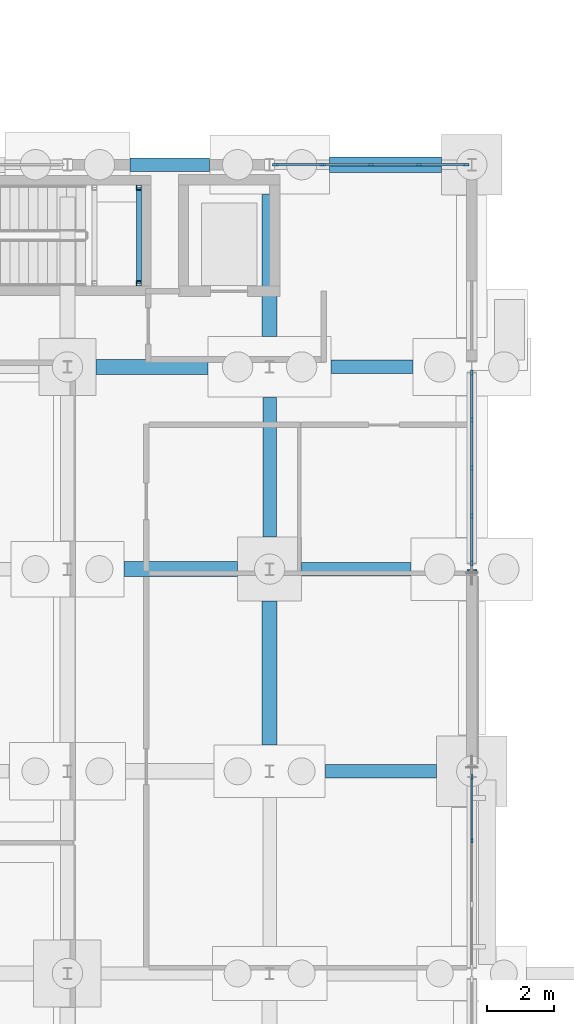
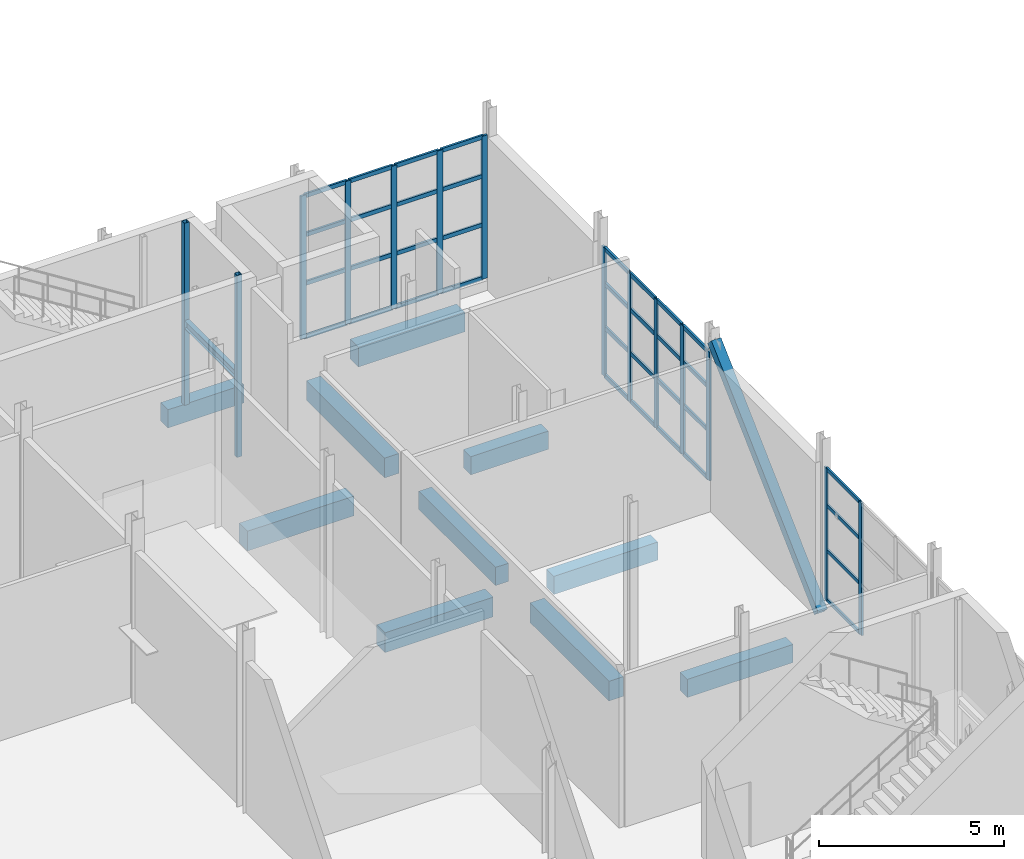
# One storey, part 49 of 120: 51 members, 11 beams, 3 elements without a shape of their own.
"""IFC4 building model written with IfcOpenShell, lengths in metres."""

from ifc_helpers import new_model, si_unit, direction, frame, origin, origin_2d, place, context, subcontext, project, spatial, rectangle, hollow_rectangle, i_section, extrude, material, material_profile, profile_set, type_object, element, aggregate, save


model = new_model("IFC4")

# Units and contexts
model_context = context("Model", 3, precision=1e-05, world=origin(), true_north=direction((0.0, 1.0)))
body_context = subcontext(model_context, "Body", "Model", "MODEL_VIEW")
ifc_project = project(units=[si_unit("LENGTHUNIT", "METRE"), si_unit("AREAUNIT", "SQUARE_METRE"), si_unit("VOLUMEUNIT", "CUBIC_METRE"), si_unit("PLANEANGLEUNIT", "RADIAN"), si_unit("MASSUNIT", "GRAM", prefix="KILO")], contexts=[model_context])

# Site, building, storey
site_placement = place(None, origin())
site = spatial("IfcSite", under=ifc_project, at=site_placement, CompositionType="ELEMENT")
building_placement = place(site_placement, origin())
building = spatial("IfcBuilding", under=site, at=building_placement, Name="Siltcreek Boulevard Central Fire Station", CompositionType="ELEMENT")
storey_placement = place(building_placement, origin())
storey = spatial("IfcBuildingStorey", under=building, at=storey_placement, Name="L01", CompositionType="ELEMENT", Elevation=0.0)

# Members
ifc_material_1 = material(Name="Structural steel ASTM A500 GrC", Category="steel")
ifc_material_profile_1 = material_profile(ifc_material_1, hollow_rectangle(XDim=0.14990234375, YDim=0.14990234375, WallThickness=0.008056640625, at=origin_2d()), Name="HSS150X150X8.0")
ifc_profile_set_1 = profile_set([ifc_material_profile_1], Name="Structural steel ASTM A500 GrC")
member_type_1 = type_object("IfcMemberType", Name="BR_HSS150_8", PredefinedType="BRACE", material=ifc_profile_set_1)
for number, where, z_axis, x_axis, name in (
    (1, (98.1201171875, 50.47998046875, 0.0), (0.0, 0.0, 1.0), (1.0, 0.0, 0.0), "L01 ST-V2A stair landing corner post SE"),
    (2, (98.1201171875, 53.320068359375, 0.0), (0.0, 0.0, 1.0), (1.0, 0.0, 0.0), "L01 ST-V2A stair landing corner post NE"),
):
    element("IfcMember", number, at=place(storey_placement, frame(where, z_axis=z_axis, x_axis=x_axis)), inside=storey, type_object=member_type_1, Name=name, PredefinedType="BRACE", context=body_context, shape_type="SweptSolid", body=[
        extrude(hollow_rectangle(XDim=0.14990234375, YDim=0.14990234375, WallThickness=0.008056640625, at=origin_2d()), origin(), (0.0, 0.0, 1.0), 6.0),
    ])
ifc_material_profile_2 = material_profile(ifc_material_1, hollow_rectangle(XDim=0.300048828125, YDim=0.300048828125, WallThickness=0.012451171875, at=origin_2d()), Name="HSS300X300X12.5")
ifc_profile_set_2 = profile_set([ifc_material_profile_2], Name="Structural steel ASTM A500 GrC")
member_type_2 = type_object("IfcMemberType", Name="BR_HSS300", PredefinedType="BRACE", material=ifc_profile_set_2)
member_1_placement = place(storey_placement, frame((108.0, 36.1201171875, 0.10009765625), z_axis=(0.0, 0.726372446686, 0.687301293972), x_axis=(-1.0, 0.0, 0.0)))
element("IfcMember", 3, at=member_1_placement, inside=storey, type_object=member_type_2, Name="L01 buckling-restrained brace BR-008", PredefinedType="BRACE", context=body_context, shape_type="SweptSolid", body=[
    extrude(hollow_rectangle(XDim=0.300048828125, YDim=0.300048828125, WallThickness=0.012451171875, at=origin_2d()), origin(), (0.0, 0.0, 1.0), 7.929443359375),
])

# Curtain wall, members
ifc_material_2 = material(Name="Anodized aluminum and low-E insulated glazing", Category="aluminium")
curtain_wall_type_1 = type_object("IfcCurtainWallType", Name="CW_SYS_22", PredefinedType="USERDEFINED", material=ifc_material_2)
curtain_wall_1_placement = place(storey_placement, origin())
curtain_wall_1 = element("IfcCurtainWall", 4, at=curtain_wall_1_placement, inside=storey, type_object=curtain_wall_type_1, Name="L01 V2 unitised curtain wall CW-021", ObjectType="CURTAIN WALL", PredefinedType="USERDEFINED")
ifc_material_3 = material(Name="Anodized 6063-T6 aluminum framing", Category="aluminium")
ifc_material_profile_3 = material_profile(ifc_material_3, rectangle(XDim=0.06005859375, YDim=0.14990234375, at=origin_2d()), Name="MULL60X150")
ifc_profile_set_3 = profile_set([ifc_material_profile_3], Name="Anodized 6063-T6 aluminum framing")
member_type_3 = type_object("IfcMemberType", Name="CWM_60X150", PredefinedType="MULLION", material=ifc_profile_set_3)
member_2_placement = place(storey_placement, frame((108.0, 33.95166015625, 0.679931640625), z_axis=(0.0, 0.0, 1.0), x_axis=(-1.0, 0.0, 0.0)))
member_2 = element("IfcMember", 5, at=member_2_placement, type_object=member_type_3, Name="CW-021 mullion 3", PredefinedType="MULLION", context=body_context, shape_type="SweptSolid", body=[
    extrude(rectangle(XDim=0.06005859375, YDim=0.14990234375, at=origin_2d()), origin(), (0.0, 0.0, 1.0), 4.364013671875),
])
member_3_placement = place(storey_placement, frame((108.0, 35.824951171875, 0.679931640625), z_axis=(0.0, 0.0, 1.0), x_axis=(-1.0, 0.0, 0.0)))
member_3 = element("IfcMember", 6, at=member_3_placement, type_object=member_type_3, Name="CW-021 mullion 4", PredefinedType="MULLION", context=body_context, shape_type="SweptSolid", body=[
    extrude(rectangle(XDim=0.06005859375, YDim=0.14990234375, at=origin_2d()), origin(), (0.0, 0.0, 1.0), 4.364013671875),
])

curtain_wall_type_2 = type_object("IfcCurtainWallType", Name="CW_SYS_19", PredefinedType="USERDEFINED", material=ifc_material_2)
curtain_wall_2_placement = place(storey_placement, origin())
curtain_wall_2 = element("IfcCurtainWall", 7, at=curtain_wall_2_placement, inside=storey, type_object=curtain_wall_type_2, Name="L01 V2 unitised curtain wall CW-018", ObjectType="CURTAIN WALL", PredefinedType="USERDEFINED")
ifc_material_profile_4 = material_profile(ifc_material_3, rectangle(XDim=0.06494140625, YDim=0.175048828125, at=origin_2d()), Name="MULL65X175")
ifc_profile_set_4 = profile_set([ifc_material_profile_4], Name="Anodized 6063-T6 aluminum framing")
member_type_4 = type_object("IfcMemberType", Name="CWM_65X175", PredefinedType="MULLION", material=ifc_profile_set_4)
member_4_placement = place(storey_placement, frame((107.822509765625, 54.0, 0.320068359375), z_axis=(0.0, 0.0, 1.0), x_axis=(0.0, -1.0, 0.0)))
member_4 = element("IfcMember", 8, at=member_4_placement, type_object=member_type_4, Name="CW-018 mullion 1", PredefinedType="MULLION", context=body_context, shape_type="SweptSolid", body=[
    extrude(rectangle(XDim=0.06494140625, YDim=0.175048828125, at=origin_2d()), origin(), (0.0, 0.0, 1.0), 4.71484375),
])
member_5_placement = place(storey_placement, frame((106.427490234375, 54.0, 0.320068359375), z_axis=(0.0, 0.0, 1.0), x_axis=(0.0, -1.0, 0.0)))
member_5 = element("IfcMember", 9, at=member_5_placement, type_object=member_type_4, Name="CW-018 mullion 2", PredefinedType="MULLION", context=body_context, shape_type="SweptSolid", body=[
    extrude(rectangle(XDim=0.06494140625, YDim=0.175048828125, at=origin_2d()), origin(), (0.0, 0.0, 1.0), 4.71484375),
])
member_6_placement = place(storey_placement, frame((105.0, 54.0, 0.320068359375), z_axis=(0.0, 0.0, 1.0), x_axis=(0.0, -1.0, 0.0)))
member_6 = element("IfcMember", 10, at=member_6_placement, type_object=member_type_4, Name="CW-018 mullion 3", PredefinedType="MULLION", context=body_context, shape_type="SweptSolid", body=[
    extrude(rectangle(XDim=0.06494140625, YDim=0.175048828125, at=origin_2d()), origin(), (0.0, 0.0, 1.0), 4.71484375),
])
member_7_placement = place(storey_placement, frame((103.572509765625, 54.0, 0.320068359375), z_axis=(0.0, 0.0, 1.0), x_axis=(0.0, -1.0, 0.0)))
member_7 = element("IfcMember", 11, at=member_7_placement, type_object=member_type_4, Name="CW-018 mullion 4", PredefinedType="MULLION", context=body_context, shape_type="SweptSolid", body=[
    extrude(rectangle(XDim=0.06494140625, YDim=0.175048828125, at=origin_2d()), origin(), (0.0, 0.0, 1.0), 4.71484375),
])
member_8_placement = place(storey_placement, frame((102.177490234375, 54.0, 0.320068359375), z_axis=(0.0, 0.0, 1.0), x_axis=(0.0, -1.0, 0.0)))
member_8 = element("IfcMember", 12, at=member_8_placement, type_object=member_type_4, Name="CW-018 mullion 5", PredefinedType="MULLION", context=body_context, shape_type="SweptSolid", body=[
    extrude(rectangle(XDim=0.06494140625, YDim=0.175048828125, at=origin_2d()), origin(), (0.0, 0.0, 1.0), 4.71484375),
])

curtain_wall_type_3 = type_object("IfcCurtainWallType", Name="CW_SYS_23", PredefinedType="USERDEFINED", material=ifc_material_2)
curtain_wall_3_placement = place(storey_placement, origin())
curtain_wall_3 = element("IfcCurtainWall", 13, at=curtain_wall_3_placement, inside=storey, type_object=curtain_wall_type_3, Name="L01 V2 unitised curtain wall CW-022", ObjectType="CURTAIN WALL", PredefinedType="USERDEFINED")
member_9_placement = place(storey_placement, frame((108.0, 42.177490234375, 0.800048828125), z_axis=(0.0, 0.0, 1.0), x_axis=(-1.0, 0.0, 0.0)))
member_9 = element("IfcMember", 14, at=member_9_placement, type_object=member_type_4, Name="CW-022 mullion 1", PredefinedType="MULLION", context=body_context, shape_type="SweptSolid", body=[
    extrude(rectangle(XDim=0.06494140625, YDim=0.175048828125, at=origin_2d()), origin(), (0.0, 0.0, 1.0), 4.243896484375),
])
member_10_placement = place(storey_placement, frame((108.0, 43.572509765625, 0.800048828125), z_axis=(0.0, 0.0, 1.0), x_axis=(-1.0, 0.0, 0.0)))
member_10 = element("IfcMember", 15, at=member_10_placement, type_object=member_type_4, Name="CW-022 mullion 2", PredefinedType="MULLION", context=body_context, shape_type="SweptSolid", body=[
    extrude(rectangle(XDim=0.06494140625, YDim=0.175048828125, at=origin_2d()), origin(), (0.0, 0.0, 1.0), 4.243896484375),
])
member_11_placement = place(storey_placement, frame((108.0, 45.0, 0.800048828125), z_axis=(0.0, 0.0, 1.0), x_axis=(-1.0, 0.0, 0.0)))
member_11 = element("IfcMember", 16, at=member_11_placement, type_object=member_type_4, Name="CW-022 mullion 3", PredefinedType="MULLION", context=body_context, shape_type="SweptSolid", body=[
    extrude(rectangle(XDim=0.06494140625, YDim=0.175048828125, at=origin_2d()), origin(), (0.0, 0.0, 1.0), 4.243896484375),
])
member_12_placement = place(storey_placement, frame((108.0, 46.427490234375, 0.800048828125), z_axis=(0.0, 0.0, 1.0), x_axis=(-1.0, 0.0, 0.0)))
member_12 = element("IfcMember", 17, at=member_12_placement, type_object=member_type_4, Name="CW-022 mullion 4", PredefinedType="MULLION", context=body_context, shape_type="SweptSolid", body=[
    extrude(rectangle(XDim=0.06494140625, YDim=0.175048828125, at=origin_2d()), origin(), (0.0, 0.0, 1.0), 4.243896484375),
])
member_13_placement = place(storey_placement, frame((108.0, 47.822509765625, 0.800048828125), z_axis=(0.0, 0.0, 1.0), x_axis=(-1.0, 0.0, 0.0)))
member_13 = element("IfcMember", 18, at=member_13_placement, type_object=member_type_4, Name="CW-022 mullion 5", PredefinedType="MULLION", context=body_context, shape_type="SweptSolid", body=[
    extrude(rectangle(XDim=0.06494140625, YDim=0.175048828125, at=origin_2d()), origin(), (0.0, 0.0, 1.0), 4.243896484375),
])

# Member
ifc_material_profile_5 = material_profile(ifc_material_3, rectangle(XDim=0.06005859375, YDim=0.114990234375, at=origin_2d()), Name="TRAN60X115")
ifc_profile_set_5 = profile_set([ifc_material_profile_5], Name="Anodized 6063-T6 aluminum framing")
member_type_5 = type_object("IfcMemberType", Name="CWT_60X115", PredefinedType="USERDEFINED", material=ifc_profile_set_5)
member_14_placement = place(storey_placement, frame((108.0, 33.981689453125, 0.7099609375), z_axis=(0.0, 1.0, 0.0), x_axis=(-1.0, 0.0, 0.0)))
member_14 = element("IfcMember", 19, at=member_14_placement, type_object=member_type_5, Name="CW-021 transom 3.1", ObjectType="TRANSOM", PredefinedType="USERDEFINED", context=body_context, shape_type="SweptSolid", body=[
    extrude(rectangle(XDim=0.06005859375, YDim=0.114990234375, at=origin_2d()), origin(), (0.0, 0.0, 1.0), 1.813232421875),
])

member_15_placement = place(storey_placement, frame((108.0, 33.981689453125, 2.33837890625), z_axis=(0.0, 1.0, 0.0), x_axis=(-1.0, 0.0, 0.0)))
member_15 = element("IfcMember", 20, at=member_15_placement, type_object=member_type_5, Name="CW-021 transom 3.2", ObjectType="TRANSOM", PredefinedType="USERDEFINED", context=body_context, shape_type="SweptSolid", body=[
    extrude(rectangle(XDim=0.06005859375, YDim=0.114990234375, at=origin_2d()), origin(), (0.0, 0.0, 1.0), 1.813232421875),
])

member_16_placement = place(storey_placement, frame((108.0, 33.981689453125, 3.822021484375), z_axis=(0.0, 1.0, 0.0), x_axis=(-1.0, 0.0, 0.0)))
member_16 = element("IfcMember", 21, at=member_16_placement, type_object=member_type_5, Name="CW-021 transom 3.3", ObjectType="TRANSOM", PredefinedType="USERDEFINED", context=body_context, shape_type="SweptSolid", body=[
    extrude(rectangle(XDim=0.06005859375, YDim=0.114990234375, at=origin_2d()), origin(), (0.0, 0.0, 1.0), 1.813232421875),
])

member_17_placement = place(storey_placement, frame((108.0, 33.981689453125, 5.013916015625), z_axis=(0.0, 1.0, 0.0), x_axis=(-1.0, 0.0, 0.0)))
member_17 = element("IfcMember", 22, at=member_17_placement, type_object=member_type_5, Name="CW-021 transom 3.4", ObjectType="TRANSOM", PredefinedType="USERDEFINED", context=body_context, shape_type="SweptSolid", body=[
    extrude(rectangle(XDim=0.06005859375, YDim=0.114990234375, at=origin_2d()), origin(), (0.0, 0.0, 1.0), 1.813232421875),
])

aggregate(curtain_wall_1, [member_2, member_3, member_14, member_15, member_16, member_17])

ifc_material_profile_6 = material_profile(ifc_material_3, rectangle(XDim=0.06494140625, YDim=0.135009765625, at=origin_2d()), Name="TRAN65X135")
ifc_profile_set_6 = profile_set([ifc_material_profile_6], Name="Anodized 6063-T6 aluminum framing")
member_type_6 = type_object("IfcMemberType", Name="CWT_65X135", PredefinedType="USERDEFINED", material=ifc_profile_set_6)
member_18_placement = place(storey_placement, frame((107.7900390625, 54.0, 0.3525390625), z_axis=(-1.0, 0.0, 0.0), x_axis=(0.0, -1.0, 0.0)))
member_18 = element("IfcMember", 23, at=member_18_placement, type_object=member_type_6, Name="CW-018 transom 1.1", ObjectType="TRANSOM", PredefinedType="USERDEFINED", context=body_context, shape_type="SweptSolid", body=[
    extrude(rectangle(XDim=0.06494140625, YDim=0.135009765625, at=origin_2d()), origin(), (0.0, 0.0, 1.0), 1.330078125),
])

member_19_placement = place(storey_placement, frame((107.7900390625, 54.0, 2.11181640625), z_axis=(-1.0, 0.0, 0.0), x_axis=(0.0, -1.0, 0.0)))
member_19 = element("IfcMember", 24, at=member_19_placement, type_object=member_type_6, Name="CW-018 transom 1.2", ObjectType="TRANSOM", PredefinedType="USERDEFINED", context=body_context, shape_type="SweptSolid", body=[
    extrude(rectangle(XDim=0.06494140625, YDim=0.135009765625, at=origin_2d()), origin(), (0.0, 0.0, 1.0), 1.330078125),
])

member_20_placement = place(storey_placement, frame((107.7900390625, 54.0, 3.71484375), z_axis=(-1.0, 0.0, 0.0), x_axis=(0.0, -1.0, 0.0)))
member_20 = element("IfcMember", 25, at=member_20_placement, type_object=member_type_6, Name="CW-018 transom 1.3", ObjectType="TRANSOM", PredefinedType="USERDEFINED", context=body_context, shape_type="SweptSolid", body=[
    extrude(rectangle(XDim=0.06494140625, YDim=0.135009765625, at=origin_2d()), origin(), (0.0, 0.0, 1.0), 1.330078125),
])

member_21_placement = place(storey_placement, frame((107.7900390625, 54.0, 5.00244140625), z_axis=(-1.0, 0.0, 0.0), x_axis=(0.0, -1.0, 0.0)))
member_21 = element("IfcMember", 26, at=member_21_placement, type_object=member_type_6, Name="CW-018 transom 1.4", ObjectType="TRANSOM", PredefinedType="USERDEFINED", context=body_context, shape_type="SweptSolid", body=[
    extrude(rectangle(XDim=0.06494140625, YDim=0.135009765625, at=origin_2d()), origin(), (0.0, 0.0, 1.0), 1.330078125),
])

member_22_placement = place(storey_placement, frame((106.39501953125, 54.0, 0.3525390625), z_axis=(-1.0, 0.0, 0.0), x_axis=(0.0, -1.0, 0.0)))
member_22 = element("IfcMember", 27, at=member_22_placement, type_object=member_type_6, Name="CW-018 transom 2.1", ObjectType="TRANSOM", PredefinedType="USERDEFINED", context=body_context, shape_type="SweptSolid", body=[
    extrude(rectangle(XDim=0.06494140625, YDim=0.135009765625, at=origin_2d()), origin(), (0.0, 0.0, 1.0), 1.362548828125),
])

member_23_placement = place(storey_placement, frame((106.39501953125, 54.0, 2.11181640625), z_axis=(-1.0, 0.0, 0.0), x_axis=(0.0, -1.0, 0.0)))
member_23 = element("IfcMember", 28, at=member_23_placement, type_object=member_type_6, Name="CW-018 transom 2.2", ObjectType="TRANSOM", PredefinedType="USERDEFINED", context=body_context, shape_type="SweptSolid", body=[
    extrude(rectangle(XDim=0.06494140625, YDim=0.135009765625, at=origin_2d()), origin(), (0.0, 0.0, 1.0), 1.362548828125),
])

member_24_placement = place(storey_placement, frame((106.39501953125, 54.0, 3.71484375), z_axis=(-1.0, 0.0, 0.0), x_axis=(0.0, -1.0, 0.0)))
member_24 = element("IfcMember", 29, at=member_24_placement, type_object=member_type_6, Name="CW-018 transom 2.3", ObjectType="TRANSOM", PredefinedType="USERDEFINED", context=body_context, shape_type="SweptSolid", body=[
    extrude(rectangle(XDim=0.06494140625, YDim=0.135009765625, at=origin_2d()), origin(), (0.0, 0.0, 1.0), 1.362548828125),
])

member_25_placement = place(storey_placement, frame((106.39501953125, 54.0, 5.00244140625), z_axis=(-1.0, 0.0, 0.0), x_axis=(0.0, -1.0, 0.0)))
member_25 = element("IfcMember", 30, at=member_25_placement, type_object=member_type_6, Name="CW-018 transom 2.4", ObjectType="TRANSOM", PredefinedType="USERDEFINED", context=body_context, shape_type="SweptSolid", body=[
    extrude(rectangle(XDim=0.06494140625, YDim=0.135009765625, at=origin_2d()), origin(), (0.0, 0.0, 1.0), 1.362548828125),
])

member_26_placement = place(storey_placement, frame((104.967529296875, 54.0, 0.3525390625), z_axis=(-1.0, 0.0, 0.0), x_axis=(0.0, -1.0, 0.0)))
member_26 = element("IfcMember", 31, at=member_26_placement, type_object=member_type_6, Name="CW-018 transom 3.1", ObjectType="TRANSOM", PredefinedType="USERDEFINED", context=body_context, shape_type="SweptSolid", body=[
    extrude(rectangle(XDim=0.06494140625, YDim=0.135009765625, at=origin_2d()), origin(), (0.0, 0.0, 1.0), 1.362548828125),
])

member_27_placement = place(storey_placement, frame((104.967529296875, 54.0, 2.11181640625), z_axis=(-1.0, 0.0, 0.0), x_axis=(0.0, -1.0, 0.0)))
member_27 = element("IfcMember", 32, at=member_27_placement, type_object=member_type_6, Name="CW-018 transom 3.2", ObjectType="TRANSOM", PredefinedType="USERDEFINED", context=body_context, shape_type="SweptSolid", body=[
    extrude(rectangle(XDim=0.06494140625, YDim=0.135009765625, at=origin_2d()), origin(), (0.0, 0.0, 1.0), 1.362548828125),
])

member_28_placement = place(storey_placement, frame((104.967529296875, 54.0, 3.71484375), z_axis=(-1.0, 0.0, 0.0), x_axis=(0.0, -1.0, 0.0)))
member_28 = element("IfcMember", 33, at=member_28_placement, type_object=member_type_6, Name="CW-018 transom 3.3", ObjectType="TRANSOM", PredefinedType="USERDEFINED", context=body_context, shape_type="SweptSolid", body=[
    extrude(rectangle(XDim=0.06494140625, YDim=0.135009765625, at=origin_2d()), origin(), (0.0, 0.0, 1.0), 1.362548828125),
])

member_29_placement = place(storey_placement, frame((104.967529296875, 54.0, 5.00244140625), z_axis=(-1.0, 0.0, 0.0), x_axis=(0.0, -1.0, 0.0)))
member_29 = element("IfcMember", 34, at=member_29_placement, type_object=member_type_6, Name="CW-018 transom 3.4", ObjectType="TRANSOM", PredefinedType="USERDEFINED", context=body_context, shape_type="SweptSolid", body=[
    extrude(rectangle(XDim=0.06494140625, YDim=0.135009765625, at=origin_2d()), origin(), (0.0, 0.0, 1.0), 1.362548828125),
])

member_30_placement = place(storey_placement, frame((103.5400390625, 54.0, 0.3525390625), z_axis=(-1.0, 0.0, 0.0), x_axis=(0.0, -1.0, 0.0)))
member_30 = element("IfcMember", 35, at=member_30_placement, type_object=member_type_6, Name="CW-018 transom 4.1", ObjectType="TRANSOM", PredefinedType="USERDEFINED", context=body_context, shape_type="SweptSolid", body=[
    extrude(rectangle(XDim=0.06494140625, YDim=0.135009765625, at=origin_2d()), origin(), (0.0, 0.0, 1.0), 1.330078125),
])

member_31_placement = place(storey_placement, frame((103.5400390625, 54.0, 2.11181640625), z_axis=(-1.0, 0.0, 0.0), x_axis=(0.0, -1.0, 0.0)))
member_31 = element("IfcMember", 36, at=member_31_placement, type_object=member_type_6, Name="CW-018 transom 4.2", ObjectType="TRANSOM", PredefinedType="USERDEFINED", context=body_context, shape_type="SweptSolid", body=[
    extrude(rectangle(XDim=0.06494140625, YDim=0.135009765625, at=origin_2d()), origin(), (0.0, 0.0, 1.0), 1.330078125),
])

member_32_placement = place(storey_placement, frame((103.5400390625, 54.0, 3.71484375), z_axis=(-1.0, 0.0, 0.0), x_axis=(0.0, -1.0, 0.0)))
member_32 = element("IfcMember", 37, at=member_32_placement, type_object=member_type_6, Name="CW-018 transom 4.3", ObjectType="TRANSOM", PredefinedType="USERDEFINED", context=body_context, shape_type="SweptSolid", body=[
    extrude(rectangle(XDim=0.06494140625, YDim=0.135009765625, at=origin_2d()), origin(), (0.0, 0.0, 1.0), 1.330078125),
])

member_33_placement = place(storey_placement, frame((103.5400390625, 54.0, 5.00244140625), z_axis=(-1.0, 0.0, 0.0), x_axis=(0.0, -1.0, 0.0)))
member_33 = element("IfcMember", 38, at=member_33_placement, type_object=member_type_6, Name="CW-018 transom 4.4", ObjectType="TRANSOM", PredefinedType="USERDEFINED", context=body_context, shape_type="SweptSolid", body=[
    extrude(rectangle(XDim=0.06494140625, YDim=0.135009765625, at=origin_2d()), origin(), (0.0, 0.0, 1.0), 1.330078125),
])

aggregate(curtain_wall_2, [member_4, member_5, member_6, member_7, member_8, member_18, member_19, member_20, member_21, member_22, member_23, member_24, member_25, member_26, member_27, member_28, member_29, member_30, member_31, member_32, member_33])

member_34_placement = place(storey_placement, frame((108.0, 42.2099609375, 0.83251953125), z_axis=(0.0, 1.0, 0.0), x_axis=(-1.0, 0.0, 0.0)))
member_34 = element("IfcMember", 39, at=member_34_placement, type_object=member_type_6, Name="CW-022 transom 1.1", ObjectType="TRANSOM", PredefinedType="USERDEFINED", context=body_context, shape_type="SweptSolid", body=[
    extrude(rectangle(XDim=0.06494140625, YDim=0.135009765625, at=origin_2d()), origin(), (0.0, 0.0, 1.0), 1.330078125),
])

member_35_placement = place(storey_placement, frame((108.0, 42.2099609375, 2.41259765625), z_axis=(0.0, 1.0, 0.0), x_axis=(-1.0, 0.0, 0.0)))
member_35 = element("IfcMember", 40, at=member_35_placement, type_object=member_type_6, Name="CW-022 transom 1.2", ObjectType="TRANSOM", PredefinedType="USERDEFINED", context=body_context, shape_type="SweptSolid", body=[
    extrude(rectangle(XDim=0.06494140625, YDim=0.135009765625, at=origin_2d()), origin(), (0.0, 0.0, 1.0), 1.330078125),
])

member_36_placement = place(storey_placement, frame((108.0, 42.2099609375, 3.855712890625), z_axis=(0.0, 1.0, 0.0), x_axis=(-1.0, 0.0, 0.0)))
member_36 = element("IfcMember", 41, at=member_36_placement, type_object=member_type_6, Name="CW-022 transom 1.3", ObjectType="TRANSOM", PredefinedType="USERDEFINED", context=body_context, shape_type="SweptSolid", body=[
    extrude(rectangle(XDim=0.06494140625, YDim=0.135009765625, at=origin_2d()), origin(), (0.0, 0.0, 1.0), 1.330078125),
])

member_37_placement = place(storey_placement, frame((108.0, 42.2099609375, 5.011474609375), z_axis=(0.0, 1.0, 0.0), x_axis=(-1.0, 0.0, 0.0)))
member_37 = element("IfcMember", 42, at=member_37_placement, type_object=member_type_6, Name="CW-022 transom 1.4", ObjectType="TRANSOM", PredefinedType="USERDEFINED", context=body_context, shape_type="SweptSolid", body=[
    extrude(rectangle(XDim=0.06494140625, YDim=0.135009765625, at=origin_2d()), origin(), (0.0, 0.0, 1.0), 1.330078125),
])

member_38_placement = place(storey_placement, frame((108.0, 43.60498046875, 0.83251953125), z_axis=(0.0, 1.0, 0.0), x_axis=(-1.0, 0.0, 0.0)))
member_38 = element("IfcMember", 43, at=member_38_placement, type_object=member_type_6, Name="CW-022 transom 2.1", ObjectType="TRANSOM", PredefinedType="USERDEFINED", context=body_context, shape_type="SweptSolid", body=[
    extrude(rectangle(XDim=0.06494140625, YDim=0.135009765625, at=origin_2d()), origin(), (0.0, 0.0, 1.0), 1.362548828125),
])

member_39_placement = place(storey_placement, frame((108.0, 43.60498046875, 2.41259765625), z_axis=(0.0, 1.0, 0.0), x_axis=(-1.0, 0.0, 0.0)))
member_39 = element("IfcMember", 44, at=member_39_placement, type_object=member_type_6, Name="CW-022 transom 2.2", ObjectType="TRANSOM", PredefinedType="USERDEFINED", context=body_context, shape_type="SweptSolid", body=[
    extrude(rectangle(XDim=0.06494140625, YDim=0.135009765625, at=origin_2d()), origin(), (0.0, 0.0, 1.0), 1.362548828125),
])

member_40_placement = place(storey_placement, frame((108.0, 43.60498046875, 3.855712890625), z_axis=(0.0, 1.0, 0.0), x_axis=(-1.0, 0.0, 0.0)))
member_40 = element("IfcMember", 45, at=member_40_placement, type_object=member_type_6, Name="CW-022 transom 2.3", ObjectType="TRANSOM", PredefinedType="USERDEFINED", context=body_context, shape_type="SweptSolid", body=[
    extrude(rectangle(XDim=0.06494140625, YDim=0.135009765625, at=origin_2d()), origin(), (0.0, 0.0, 1.0), 1.362548828125),
])

member_41_placement = place(storey_placement, frame((108.0, 43.60498046875, 5.011474609375), z_axis=(0.0, 1.0, 0.0), x_axis=(-1.0, 0.0, 0.0)))
member_41 = element("IfcMember", 46, at=member_41_placement, type_object=member_type_6, Name="CW-022 transom 2.4", ObjectType="TRANSOM", PredefinedType="USERDEFINED", context=body_context, shape_type="SweptSolid", body=[
    extrude(rectangle(XDim=0.06494140625, YDim=0.135009765625, at=origin_2d()), origin(), (0.0, 0.0, 1.0), 1.362548828125),
])

member_42_placement = place(storey_placement, frame((108.0, 45.032470703125, 0.83251953125), z_axis=(0.0, 1.0, 0.0), x_axis=(-1.0, 0.0, 0.0)))
member_42 = element("IfcMember", 47, at=member_42_placement, type_object=member_type_6, Name="CW-022 transom 3.1", ObjectType="TRANSOM", PredefinedType="USERDEFINED", context=body_context, shape_type="SweptSolid", body=[
    extrude(rectangle(XDim=0.06494140625, YDim=0.135009765625, at=origin_2d()), origin(), (0.0, 0.0, 1.0), 1.362548828125),
])

member_43_placement = place(storey_placement, frame((108.0, 45.032470703125, 2.41259765625), z_axis=(0.0, 1.0, 0.0), x_axis=(-1.0, 0.0, 0.0)))
member_43 = element("IfcMember", 48, at=member_43_placement, type_object=member_type_6, Name="CW-022 transom 3.2", ObjectType="TRANSOM", PredefinedType="USERDEFINED", context=body_context, shape_type="SweptSolid", body=[
    extrude(rectangle(XDim=0.06494140625, YDim=0.135009765625, at=origin_2d()), origin(), (0.0, 0.0, 1.0), 1.362548828125),
])

member_44_placement = place(storey_placement, frame((108.0, 45.032470703125, 3.855712890625), z_axis=(0.0, 1.0, 0.0), x_axis=(-1.0, 0.0, 0.0)))
member_44 = element("IfcMember", 49, at=member_44_placement, type_object=member_type_6, Name="CW-022 transom 3.3", ObjectType="TRANSOM", PredefinedType="USERDEFINED", context=body_context, shape_type="SweptSolid", body=[
    extrude(rectangle(XDim=0.06494140625, YDim=0.135009765625, at=origin_2d()), origin(), (0.0, 0.0, 1.0), 1.362548828125),
])

member_45_placement = place(storey_placement, frame((108.0, 45.032470703125, 5.011474609375), z_axis=(0.0, 1.0, 0.0), x_axis=(-1.0, 0.0, 0.0)))
member_45 = element("IfcMember", 50, at=member_45_placement, type_object=member_type_6, Name="CW-022 transom 3.4", ObjectType="TRANSOM", PredefinedType="USERDEFINED", context=body_context, shape_type="SweptSolid", body=[
    extrude(rectangle(XDim=0.06494140625, YDim=0.135009765625, at=origin_2d()), origin(), (0.0, 0.0, 1.0), 1.362548828125),
])

member_46_placement = place(storey_placement, frame((108.0, 46.4599609375, 0.83251953125), z_axis=(0.0, 1.0, 0.0), x_axis=(-1.0, 0.0, 0.0)))
member_46 = element("IfcMember", 51, at=member_46_placement, type_object=member_type_6, Name="CW-022 transom 4.1", ObjectType="TRANSOM", PredefinedType="USERDEFINED", context=body_context, shape_type="SweptSolid", body=[
    extrude(rectangle(XDim=0.06494140625, YDim=0.135009765625, at=origin_2d()), origin(), (0.0, 0.0, 1.0), 1.330078125),
])

member_47_placement = place(storey_placement, frame((108.0, 46.4599609375, 2.41259765625), z_axis=(0.0, 1.0, 0.0), x_axis=(-1.0, 0.0, 0.0)))
member_47 = element("IfcMember", 52, at=member_47_placement, type_object=member_type_6, Name="CW-022 transom 4.2", ObjectType="TRANSOM", PredefinedType="USERDEFINED", context=body_context, shape_type="SweptSolid", body=[
    extrude(rectangle(XDim=0.06494140625, YDim=0.135009765625, at=origin_2d()), origin(), (0.0, 0.0, 1.0), 1.330078125),
])

member_48_placement = place(storey_placement, frame((108.0, 46.4599609375, 3.855712890625), z_axis=(0.0, 1.0, 0.0), x_axis=(-1.0, 0.0, 0.0)))
member_48 = element("IfcMember", 53, at=member_48_placement, type_object=member_type_6, Name="CW-022 transom 4.3", ObjectType="TRANSOM", PredefinedType="USERDEFINED", context=body_context, shape_type="SweptSolid", body=[
    extrude(rectangle(XDim=0.06494140625, YDim=0.135009765625, at=origin_2d()), origin(), (0.0, 0.0, 1.0), 1.330078125),
])

member_49_placement = place(storey_placement, frame((108.0, 46.4599609375, 5.011474609375), z_axis=(0.0, 1.0, 0.0), x_axis=(-1.0, 0.0, 0.0)))
member_49 = element("IfcMember", 54, at=member_49_placement, type_object=member_type_6, Name="CW-022 transom 4.4", ObjectType="TRANSOM", PredefinedType="USERDEFINED", context=body_context, shape_type="SweptSolid", body=[
    extrude(rectangle(XDim=0.06494140625, YDim=0.135009765625, at=origin_2d()), origin(), (0.0, 0.0, 1.0), 1.330078125),
])

aggregate(curtain_wall_3, [member_9, member_10, member_11, member_12, member_13, member_34, member_35, member_36, member_37, member_38, member_39, member_40, member_41, member_42, member_43, member_44, member_45, member_46, member_47, member_48, member_49])

# Beams
ifc_material_4 = material(Name="Concrete C35/45", Category="concrete")
ifc_material_profile_7 = material_profile(ifc_material_4, rectangle(XDim=0.39990234375, YDim=0.60009765625, at=origin_2d()), Name="RC400X600")
ifc_profile_set_7 = profile_set([ifc_material_profile_7], Name="Concrete C35/45")
beam_type_1 = type_object("IfcBeamType", Name="GB_RC400X600", PredefinedType="USERDEFINED", material=ifc_profile_set_7)
beam_1_placement = place(storey_placement, frame((103.652099609375, 36.0, -0.7099609375), z_axis=(1.0, 0.0, 0.0), x_axis=(0.0, 1.0, 0.0)))
element("IfcBeam", 55, at=beam_1_placement, inside=storey, type_object=beam_type_1, Name="Reinforced concrete tie grade beam GB-085", ObjectType="GRADE BEAM", PredefinedType="USERDEFINED", context=body_context, shape_type="SweptSolid", body=[
    extrude(rectangle(XDim=0.39990234375, YDim=0.60009765625, at=origin_2d()), origin(), (0.0, 0.0, 1.0), 3.2958984375),
])
beam_2_placement = place(storey_placement, frame((102.951904296875, 42.0, -0.7099609375), z_axis=(1.0, 0.0, 0.0), x_axis=(0.0, 1.0, 0.0)))
element("IfcBeam", 56, at=beam_2_placement, inside=storey, type_object=beam_type_1, Name="Reinforced concrete tie grade beam GB-103", ObjectType="GRADE BEAM", PredefinedType="USERDEFINED", context=body_context, shape_type="SweptSolid", body=[
    extrude(rectangle(XDim=0.39990234375, YDim=0.60009765625, at=origin_2d()), origin(), (0.0, 0.0, 1.0), 3.24609375),
])
beam_3_placement = place(storey_placement, frame((103.826904296875, 48.0, -0.7099609375), z_axis=(1.0, 0.0, 0.0), x_axis=(0.0, 1.0, 0.0)))
element("IfcBeam", 57, at=beam_3_placement, inside=storey, type_object=beam_type_1, Name="Reinforced concrete tie grade beam GB-121", ObjectType="GRADE BEAM", PredefinedType="USERDEFINED", context=body_context, shape_type="SweptSolid", body=[
    extrude(rectangle(XDim=0.39990234375, YDim=0.60009765625, at=origin_2d()), origin(), (0.0, 0.0, 1.0), 2.421142578125),
])
beam_4_placement = place(storey_placement, frame((97.85205078125, 54.0, -0.7099609375), z_axis=(1.0, 0.0, 0.0), x_axis=(0.0, 1.0, 0.0)))
element("IfcBeam", 58, at=beam_4_placement, inside=storey, type_object=beam_type_1, Name="Reinforced concrete tie grade beam GB-125", ObjectType="GRADE BEAM", PredefinedType="USERDEFINED", context=body_context, shape_type="SweptSolid", body=[
    extrude(rectangle(XDim=0.39990234375, YDim=0.60009765625, at=origin_2d()), origin(), (0.0, 0.0, 1.0), 2.370849609375),
])
beam_5_placement = place(storey_placement, frame((102.0, 42.951904296875, -0.7099609375), z_axis=(0.0, 1.0, 0.0), x_axis=(-1.0, 0.0, 0.0)))
element("IfcBeam", 59, at=beam_5_placement, inside=storey, type_object=beam_type_1, Name="Reinforced concrete tie grade beam GB-201", ObjectType="GRADE BEAM", PredefinedType="USERDEFINED", context=body_context, shape_type="SweptSolid", body=[
    extrude(rectangle(XDim=0.39990234375, YDim=0.60009765625, at=origin_2d()), origin(), (0.0, 0.0, 1.0), 4.14599609375),
])
ifc_material_profile_8 = material_profile(ifc_material_4, rectangle(XDim=0.449951171875, YDim=0.64990234375, at=origin_2d()), Name="RC450X650")
ifc_profile_set_8 = profile_set([ifc_material_profile_8], Name="Concrete C35/45")
beam_type_2 = type_object("IfcBeamType", Name="GB_RC450X650", PredefinedType="USERDEFINED", material=ifc_profile_set_8)
beam_6_placement = place(storey_placement, frame((97.677001953125, 42.0, -0.735107421875), z_axis=(1.0, 0.0, 0.0), x_axis=(0.0, 1.0, 0.0)))
element("IfcBeam", 60, at=beam_6_placement, inside=storey, type_object=beam_type_2, Name="Reinforced concrete tie grade beam GB-102", ObjectType="GRADE BEAM", PredefinedType="USERDEFINED", context=body_context, shape_type="SweptSolid", body=[
    extrude(rectangle(XDim=0.449951171875, YDim=0.64990234375, at=origin_2d()), origin(), (0.0, 0.0, 1.0), 3.37109375),
])
beam_7_placement = place(storey_placement, frame((96.85205078125, 48.0, -0.735107421875), z_axis=(1.0, 0.0, 0.0), x_axis=(0.0, 1.0, 0.0)))
element("IfcBeam", 61, at=beam_7_placement, inside=storey, type_object=beam_type_2, Name="Reinforced concrete tie grade beam GB-120", ObjectType="GRADE BEAM", PredefinedType="USERDEFINED", context=body_context, shape_type="SweptSolid", body=[
    extrude(rectangle(XDim=0.449951171875, YDim=0.64990234375, at=origin_2d()), origin(), (0.0, 0.0, 1.0), 3.321044921875),
])
beam_8_placement = place(storey_placement, frame((103.777099609375, 54.0, -0.735107421875), z_axis=(1.0, 0.0, 0.0), x_axis=(0.0, 1.0, 0.0)))
element("IfcBeam", 62, at=beam_8_placement, inside=storey, type_object=beam_type_2, Name="Reinforced concrete tie grade beam GB-126", ObjectType="GRADE BEAM", PredefinedType="USERDEFINED", context=body_context, shape_type="SweptSolid", body=[
    extrude(rectangle(XDim=0.449951171875, YDim=0.64990234375, at=origin_2d()), origin(), (0.0, 0.0, 1.0), 3.32080078125),
])
beam_9_placement = place(storey_placement, frame((102.0, 36.777099609375, -0.735107421875), z_axis=(0.0, 1.0, 0.0), x_axis=(-1.0, 0.0, 0.0)))
element("IfcBeam", 63, at=beam_9_placement, inside=storey, type_object=beam_type_2, Name="Reinforced concrete tie grade beam GB-200", ObjectType="GRADE BEAM", PredefinedType="USERDEFINED", context=body_context, shape_type="SweptSolid", body=[
    extrude(rectangle(XDim=0.449951171875, YDim=0.64990234375, at=origin_2d()), origin(), (0.0, 0.0, 1.0), 4.27099609375),
])
beam_10_placement = place(storey_placement, frame((102.0, 48.902099609375, -0.735107421875), z_axis=(0.0, 1.0, 0.0), x_axis=(-1.0, 0.0, 0.0)))
element("IfcBeam", 64, at=beam_10_placement, inside=storey, type_object=beam_type_2, Name="Reinforced concrete tie grade beam GB-202", ObjectType="GRADE BEAM", PredefinedType="USERDEFINED", context=body_context, shape_type="SweptSolid", body=[
    extrude(rectangle(XDim=0.449951171875, YDim=0.64990234375, at=origin_2d()), origin(), (0.0, 0.0, 1.0), 4.220947265625),
])
ifc_material_5 = material(Name="Structural steel ASTM A992 Gr50", Category="steel")
ifc_material_profile_9 = material_profile(ifc_material_5, i_section(OverallWidth=0.14697265625, OverallDepth=0.261962890625, WebThickness=0.006591796875, FlangeThickness=0.01123046875, at=origin_2d()), Name="W250X39")
ifc_profile_set_9 = profile_set([ifc_material_profile_9], Name="Structural steel ASTM A992 Gr50")
beam_type_3 = type_object("IfcBeamType", Name="JST_W250X39", PredefinedType="JOIST", material=ifc_profile_set_9)
beam_11_placement = place(storey_placement, frame((98.1201171875, 50.47998046875, 2.6689453125), z_axis=(0.0, 1.0, 0.0), x_axis=(-1.0, 0.0, 0.0)))
element("IfcBeam", 65, at=beam_11_placement, inside=storey, type_object=beam_type_3, Name="L01 ST-V2A stair landing bearer MIDE", PredefinedType="JOIST", context=body_context, shape_type="SweptSolid", body=[
    extrude(i_section(OverallWidth=0.14697265625, OverallDepth=0.261962890625, WebThickness=0.006591796875, FlangeThickness=0.01123046875, at=origin_2d()), origin(), (0.0, 0.0, 1.0), 2.840087890625),
])

save(model, "model.ifc")
